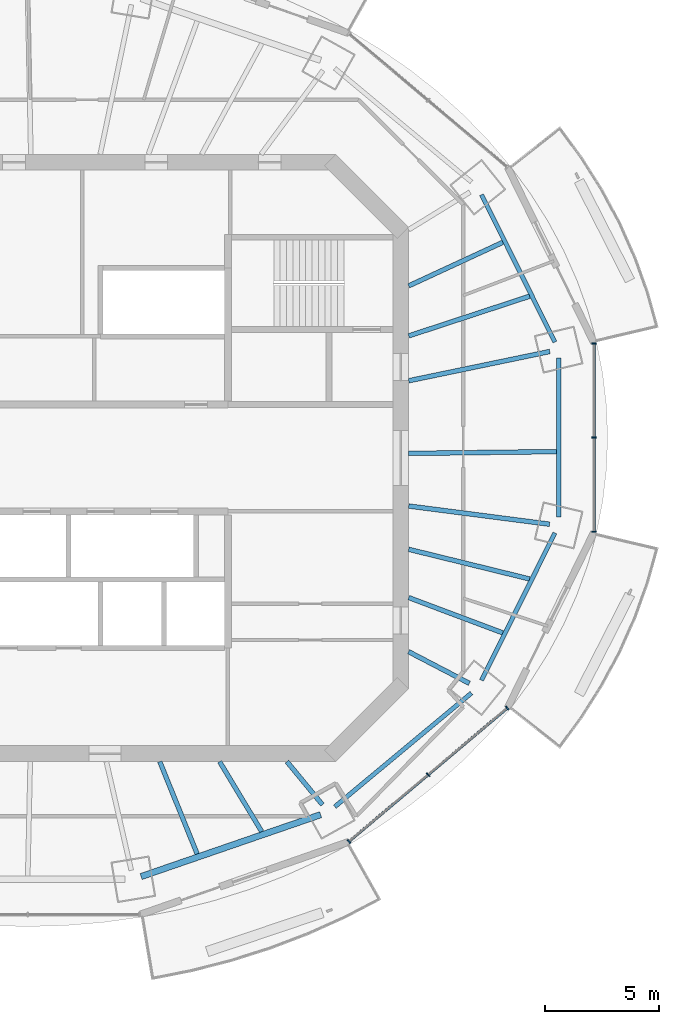
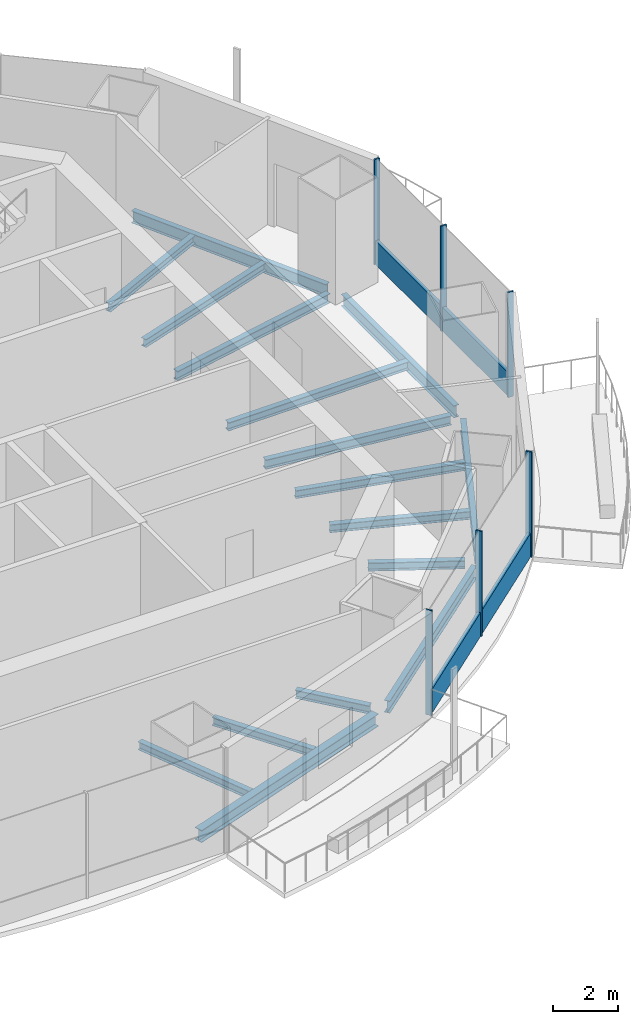
# One storey, part 4 of 15: 16 beams, 8 members, 2 elements without a shape of their own.
"""IFC4 building model written with IfcOpenShell, lengths in metres."""

from ifc_helpers import new_model, si_unit, direction, frame, origin, origin_2d, place, context, subcontext, project, spatial, rectangle, i_section, extrude, material, material_profile, profile_set, type_object, element, aggregate, save


model = new_model("IFC4")

# Units and contexts
model_context = context("Model", 3, precision=1e-05, world=origin(), true_north=direction((0.0, 1.0)))
body_context = subcontext(model_context, "Body", "Model", "MODEL_VIEW")
ifc_project = project(units=[si_unit("LENGTHUNIT", "METRE"), si_unit("AREAUNIT", "SQUARE_METRE"), si_unit("VOLUMEUNIT", "CUBIC_METRE"), si_unit("PLANEANGLEUNIT", "RADIAN"), si_unit("MASSUNIT", "GRAM", prefix="KILO")], contexts=[model_context])

# Site, building, storey
site_placement = place(None, origin())
site = spatial("IfcSite", under=ifc_project, at=site_placement, CompositionType="ELEMENT")
building_placement = place(site_placement, origin())
building = spatial("IfcBuilding", under=site, at=building_placement, Name="Marenthal Gate Tower", CompositionType="ELEMENT")
storey_placement = place(building_placement, frame((0.0, 0.0, 384.10009765625)))
storey = spatial("IfcBuildingStorey", under=building, at=storey_placement, Name="L87", CompositionType="ELEMENT", Elevation=384.10009765625)

# Curtain wall, members
ifc_material_1 = material(Name="Aluminium and glass", Category="aluminium")
curtain_wall_type = type_object("IfcCurtainWallType", Name="Curtain wall typical high", PredefinedType="NOTDEFINED", material=ifc_material_1)
curtain_wall_1_placement = place(storey_placement, origin())
curtain_wall_1 = element("IfcCurtainWall", 1, at=curtain_wall_1_placement, inside=storey, type_object=curtain_wall_type, Name="Curtain wall L87 bay 14", PredefinedType="NOTDEFINED")
ifc_material_2 = material(Name="Aluminium", Category="aluminium")
ifc_material_profile_1 = material_profile(ifc_material_2, rectangle(XDim=0.199951171875, YDim=0.06005859375, at=origin_2d()), Name="60x200 aluminium mullion")
ifc_profile_set_1 = profile_set([ifc_material_profile_1], Name="Aluminium")
member_type_1 = type_object("IfcMemberType", Name="Mullion 60x200 typical high", PredefinedType="MULLION", material=ifc_profile_set_1)
member_1_placement = place(storey_placement, frame((13.723388671875, -16.857421875, 0.0), z_axis=(0.0, 0.0, 1.0), x_axis=(-0.644265226944, 0.764802142616, 0.0)))
member_1 = element("IfcMember", 2, at=member_1_placement, type_object=member_type_1, Name="Mullion L87 bay 14.1", PredefinedType="MULLION", context=body_context, shape_type="SweptSolid", body=[
    extrude(rectangle(XDim=0.199951171875, YDim=0.06005859375, at=origin_2d()), origin(), (0.0, 0.0, 1.0), 3.969970703125),
])
member_2_placement = place(storey_placement, frame((17.20166015625, -13.927490234375, 0.0), z_axis=(0.0, 0.0, 1.0), x_axis=(-0.644265226944, 0.764802142616, 0.0)))
member_2 = element("IfcMember", 3, at=member_2_placement, type_object=member_type_1, Name="Mullion L87 bay 14.2", PredefinedType="MULLION", context=body_context, shape_type="SweptSolid", body=[
    extrude(rectangle(XDim=0.199951171875, YDim=0.06005859375, at=origin_2d()), origin(), (0.0, 0.0, 1.0), 3.969970703125),
])
member_3_placement = place(storey_placement, frame((20.6796875, -10.997314453125, 0.0), z_axis=(0.0, 0.0, 1.0), x_axis=(-0.644265226944, 0.764802142616, 0.0)))
member_3 = element("IfcMember", 4, at=member_3_placement, type_object=member_type_1, Name="Mullion L87 bay 14.3", PredefinedType="MULLION", context=body_context, shape_type="SweptSolid", body=[
    extrude(rectangle(XDim=0.199951171875, YDim=0.06005859375, at=origin_2d()), origin(), (0.0, 0.0, 1.0), 3.969970703125),
])

curtain_wall_2_placement = place(storey_placement, origin())
curtain_wall_2 = element("IfcCurtainWall", 5, at=curtain_wall_2_placement, inside=storey, type_object=curtain_wall_type, Name="Curtain wall L87 bay 16", PredefinedType="NOTDEFINED")
member_4_placement = place(storey_placement, frame((24.4921875, -3.240966796875, 0.0), z_axis=(0.0, 0.0, 1.0), x_axis=(-1.0, 0.0, 0.0)))
member_4 = element("IfcMember", 6, at=member_4_placement, type_object=member_type_1, Name="Mullion L87 bay 16.1", PredefinedType="MULLION", context=body_context, shape_type="SweptSolid", body=[
    extrude(rectangle(XDim=0.199951171875, YDim=0.06005859375, at=origin_2d()), origin(), (0.0, 0.0, 1.0), 3.969970703125),
])
member_5_placement = place(storey_placement, frame((24.4921875, 0.89990234375, 0.0), z_axis=(0.0, 0.0, 1.0), x_axis=(-1.0, 0.0, 0.0)))
member_5 = element("IfcMember", 7, at=member_5_placement, type_object=member_type_1, Name="Mullion L87 bay 16.2", PredefinedType="MULLION", context=body_context, shape_type="SweptSolid", body=[
    extrude(rectangle(XDim=0.199951171875, YDim=0.06005859375, at=origin_2d()), origin(), (0.0, 0.0, 1.0), 3.969970703125),
])
member_6_placement = place(storey_placement, frame((24.4921875, 5.041015625, 0.0), z_axis=(0.0, 0.0, 1.0), x_axis=(-1.0, 0.0, 0.0)))
member_6 = element("IfcMember", 8, at=member_6_placement, type_object=member_type_1, Name="Mullion L87 bay 16.3", PredefinedType="MULLION", context=body_context, shape_type="SweptSolid", body=[
    extrude(rectangle(XDim=0.199951171875, YDim=0.06005859375, at=origin_2d()), origin(), (0.0, 0.0, 1.0), 3.969970703125),
])

# Member
ifc_material_3 = material(Name="Aluminium", Category="aluminium")
ifc_material_profile_2 = material_profile(ifc_material_3, rectangle(XDim=0.1201171875, YDim=0.89990234375, at=origin_2d()), Name="120x900 aluminium transom")
ifc_profile_set_2 = profile_set([ifc_material_profile_2], Name="Aluminium")
member_type_2 = type_object("IfcMemberType", Name="Transom 120x900 typical high", PredefinedType="USERDEFINED", material=ifc_profile_set_2)
member_7_placement = place(storey_placement, frame((13.746337890625, -16.838134765625, 0.449951171875), z_axis=(0.764801880801, 0.644265537743, 0.0), x_axis=(-0.644265537743, 0.764801880801, 0.0)))
member_7 = element("IfcMember", 9, at=member_7_placement, type_object=member_type_2, Name="Transom L87 bay 14", ObjectType="TRANSOM", PredefinedType="USERDEFINED", context=body_context, shape_type="SweptSolid", body=[
    extrude(rectangle(XDim=0.1201171875, YDim=0.89990234375, at=origin_2d()), origin(), (0.0, 0.0, 1.0), 9.03564453125),
])

aggregate(curtain_wall_1, [member_1, member_2, member_3, member_7])

member_8_placement = place(storey_placement, frame((24.4921875, -3.2109375, 0.449951171875), z_axis=(0.0, 1.0, 0.0), x_axis=(-1.0, 0.0, 0.0)))
member_8 = element("IfcMember", 10, at=member_8_placement, type_object=member_type_2, Name="Transom L87 bay 16", ObjectType="TRANSOM", PredefinedType="USERDEFINED", context=body_context, shape_type="SweptSolid", body=[
    extrude(rectangle(XDim=0.1201171875, YDim=0.89990234375, at=origin_2d()), origin(), (0.0, 0.0, 1.0), 8.221923828125),
])

aggregate(curtain_wall_2, [member_4, member_5, member_6, member_8])

# Beams
ifc_material_4 = material(Name="Steel S355", Category="steel")
ifc_material_profile_3 = material_profile(ifc_material_4, i_section(OverallWidth=0.202880859375, OverallDepth=0.302001953125, WebThickness=0.007568359375, FlangeThickness=0.01318359375, FilletRadius=0.0126953125, at=origin_2d()), Name="W310X60")
ifc_profile_set_3 = profile_set([ifc_material_profile_3], Name="Steel S355")
beam_type_1 = type_object("IfcBeamType", Name="W310X60 beam", PredefinedType="BEAM", material=ifc_profile_set_3)
beam_1_placement = place(storey_placement, frame((21.66650390625, 7.11181640625, -0.3310546875), z_axis=(-0.950121914048, -0.311878739971, 0.0), x_axis=(0.311878739971, -0.950121914048, 0.0)))
element("IfcBeam", 11, at=beam_1_placement, inside=storey, type_object=beam_type_1, Name="BM-L87-17", PredefinedType="BEAM", context=body_context, shape_type="SweptSolid", body=[
    extrude(i_section(OverallWidth=0.202880859375, OverallDepth=0.302001953125, WebThickness=0.007568359375, FlangeThickness=0.01318359375, FilletRadius=0.0126953125, at=origin_2d()), origin(), (0.0, 0.0, 1.0), 5.595458984375),
])
beam_2_placement = place(storey_placement, frame((20.48681640625, 9.48095703125, -0.3310546875), z_axis=(-0.907516815218, -0.420015749819, 0.0), x_axis=(0.420015749819, -0.907516815218, 0.0)))
element("IfcBeam", 12, at=beam_2_placement, inside=storey, type_object=beam_type_1, Name="BM-L87-18", PredefinedType="BEAM", context=body_context, shape_type="SweptSolid", body=[
    extrude(i_section(OverallWidth=0.202880859375, OverallDepth=0.302001953125, WebThickness=0.007568359375, FlangeThickness=0.01318359375, FilletRadius=0.0126953125, at=origin_2d()), origin(), (0.0, 0.0, 1.0), 4.558349609375),
])
beam_3_placement = place(storey_placement, frame((7.050537109375, -17.404541015625, -0.3310546875), z_axis=(-0.375486166847, 0.92682799834, 0.0), x_axis=(-0.92682799834, -0.375486166847, 0.0)))
element("IfcBeam", 13, at=beam_3_placement, inside=storey, type_object=beam_type_1, Name="BM-L87-33", PredefinedType="BEAM", context=body_context, shape_type="SweptSolid", body=[
    extrude(i_section(OverallWidth=0.202880859375, OverallDepth=0.302001953125, WebThickness=0.007568359375, FlangeThickness=0.01318359375, FilletRadius=0.0126953125, at=origin_2d()), origin(), (0.0, 0.0, 1.0), 4.37451171875),
])
beam_4_placement = place(storey_placement, frame((9.88916015625, -16.42626953125, -0.3310546875), z_axis=(-0.515795030801, 0.856712020577, 0.0), x_axis=(-0.856712020577, -0.515795030801, 0.0)))
element("IfcBeam", 14, at=beam_4_placement, inside=storey, type_object=beam_type_1, Name="BM-L87-34", PredefinedType="BEAM", context=body_context, shape_type="SweptSolid", body=[
    extrude(i_section(OverallWidth=0.202880859375, OverallDepth=0.302001953125, WebThickness=0.007568359375, FlangeThickness=0.01318359375, FilletRadius=0.0126953125, at=origin_2d()), origin(), (0.0, 0.0, 1.0), 3.590576171875),
])
beam_5_placement = place(storey_placement, frame((20.483642578125, -7.6875, -0.3310546875), z_axis=(-0.936222328992, 0.351408239368, 0.0), x_axis=(-0.351408239368, -0.936222328992, 0.0)))
element("IfcBeam", 15, at=beam_5_placement, inside=storey, type_object=beam_type_1, Name="BM-L87-35", PredefinedType="BEAM", context=body_context, shape_type="SweptSolid", body=[
    extrude(i_section(OverallWidth=0.202880859375, OverallDepth=0.302001953125, WebThickness=0.007568359375, FlangeThickness=0.01318359375, FilletRadius=0.0126953125, at=origin_2d()), origin(), (0.0, 0.0, 1.0), 4.4150390625),
])
beam_6_placement = place(storey_placement, frame((21.6630859375, -5.318603515625, -0.3310546875), z_axis=(-0.971157636969, 0.23843834456, 0.0), x_axis=(-0.23843834456, -0.971157636969, 0.0)))
element("IfcBeam", 16, at=beam_6_placement, inside=storey, type_object=beam_type_1, Name="BM-L87-36", PredefinedType="BEAM", context=body_context, shape_type="SweptSolid", body=[
    extrude(i_section(OverallWidth=0.202880859375, OverallDepth=0.302001953125, WebThickness=0.007568359375, FlangeThickness=0.01318359375, FilletRadius=0.0126953125, at=origin_2d()), origin(), (0.0, 0.0, 1.0), 5.470703125),
])
ifc_material_5 = material(Name="Steel S355", Category="steel")
ifc_material_profile_4 = material_profile(ifc_material_5, i_section(OverallWidth=0.205078125, OverallDepth=0.31005859375, WebThickness=0.009521484375, FlangeThickness=0.016357421875, FilletRadius=0.0126953125, at=origin_2d()), Name="W310X74")
ifc_profile_set_4 = profile_set([ifc_material_profile_4], Name="Steel S355")
beam_type_2 = type_object("IfcBeamType", Name="W310X74 beam", PredefinedType="BEAM", material=ifc_profile_set_4)
beam_7_placement = place(storey_placement, frame((12.55859375, -15.242919921875, -0.335205078125), z_axis=(-0.635836353216, 0.771823899558, 0.0), x_axis=(-0.771823899558, -0.635836353216, 0.0)))
element("IfcBeam", 17, at=beam_7_placement, inside=storey, type_object=beam_type_2, Name="BM-L87-14", PredefinedType="BEAM", context=body_context, shape_type="SweptSolid", body=[
    extrude(i_section(OverallWidth=0.205078125, OverallDepth=0.31005859375, WebThickness=0.009521484375, FlangeThickness=0.016357421875, FilletRadius=0.0126953125, at=origin_2d()), origin(), (0.0, 0.0, 1.0), 2.452392578125),
])
beam_8_placement = place(storey_placement, frame((19.0185546875, -9.9072265625, -0.335205078125), z_axis=(-0.88687114126, 0.462016859866, 0.0), x_axis=(-0.462016859866, -0.88687114126, 0.0)))
element("IfcBeam", 18, at=beam_8_placement, inside=storey, type_object=beam_type_2, Name="BM-L87-15", PredefinedType="BEAM", context=body_context, shape_type="SweptSolid", body=[
    extrude(i_section(OverallWidth=0.205078125, OverallDepth=0.31005859375, WebThickness=0.009521484375, FlangeThickness=0.016357421875, FilletRadius=0.0126953125, at=origin_2d()), origin(), (0.0, 0.0, 1.0), 3.0087890625),
])
beam_9_placement = place(storey_placement, frame((22.84716796875, 0.28076171875, -0.335205078125), z_axis=(-0.999924514888, -0.012286762226, 0.0), x_axis=(0.012286762226, -0.999924514888, 0.0)))
element("IfcBeam", 19, at=beam_9_placement, inside=storey, type_object=beam_type_2, Name="BM-L87-37", PredefinedType="BEAM", context=body_context, shape_type="SweptSolid", body=[
    extrude(i_section(OverallWidth=0.205078125, OverallDepth=0.31005859375, WebThickness=0.009521484375, FlangeThickness=0.016357421875, FilletRadius=0.0126953125, at=origin_2d()), origin(), (0.0, 0.0, 1.0), 6.49755859375),
])
ifc_material_6 = material(Name="Steel S355", Category="steel")
ifc_material_profile_5 = material_profile(ifc_material_6, i_section(OverallWidth=0.205078125, OverallDepth=0.35302734375, WebThickness=0.009521484375, FlangeThickness=0.016845703125, FilletRadius=0.014892578125, at=origin_2d()), Name="W360X79")
ifc_profile_set_5 = profile_set([ifc_material_profile_5], Name="Steel S355")
beam_type_3 = type_object("IfcBeamType", Name="W360X79 beam", PredefinedType="BEAM", material=ifc_profile_set_5)
beam_10_placement = place(storey_placement, frame((22.55078125, 4.681396484375, -0.356689453125), z_axis=(-0.979128337285, -0.203242955908, 0.0), x_axis=(0.203242955908, -0.979128337285, 0.0)))
element("IfcBeam", 20, at=beam_10_placement, inside=storey, type_object=beam_type_3, Name="BM-L87-01", PredefinedType="BEAM", context=body_context, shape_type="SweptSolid", body=[
    extrude(i_section(OverallWidth=0.205078125, OverallDepth=0.35302734375, WebThickness=0.009521484375, FlangeThickness=0.016845703125, FilletRadius=0.014892578125, at=origin_2d()), origin(), (0.0, 0.0, 1.0), 6.332763671875),
])
beam_11_placement = place(storey_placement, frame((22.541015625, -2.910888671875, -0.356689453125), z_axis=(-0.991762968322, 0.128086746638, 0.0), x_axis=(-0.128086746638, -0.991762968322, 0.0)))
element("IfcBeam", 21, at=beam_11_placement, inside=storey, type_object=beam_type_3, Name="BM-L87-16", PredefinedType="BEAM", context=body_context, shape_type="SweptSolid", body=[
    extrude(i_section(OverallWidth=0.205078125, OverallDepth=0.35302734375, WebThickness=0.009521484375, FlangeThickness=0.016845703125, FilletRadius=0.014892578125, at=origin_2d()), origin(), (0.0, 0.0, 1.0), 6.242431640625),
])
ifc_material_7 = material(Name="Steel S355", Category="steel")
ifc_material_profile_6 = material_profile(ifc_material_7, i_section(OverallWidth=0.279052734375, OverallDepth=0.4619140625, WebThickness=0.0107421875, FlangeThickness=0.017333984375, FilletRadius=0.010009765625, at=origin_2d()), Name="W460X113")
ifc_profile_set_6 = profile_set([ifc_material_profile_6], Name="Steel S355")
beam_type_4 = type_object("IfcBeamType", Name="W460X113 beam", PredefinedType="BEAM", material=ifc_profile_set_6)
beam_12_placement = place(storey_placement, frame((4.58544921875, -18.401611328125, -0.4111328125), z_axis=(0.94543573541, 0.325808640478, 0.0), x_axis=(-0.325808640478, 0.94543573541, 0.0)))
element("IfcBeam", 22, at=beam_12_placement, inside=storey, type_object=beam_type_4, Name="BM-L87-50", PredefinedType="BEAM", context=body_context, shape_type="SweptSolid", body=[
    extrude(i_section(OverallWidth=0.279052734375, OverallDepth=0.4619140625, WebThickness=0.0107421875, FlangeThickness=0.017333984375, FilletRadius=0.010009765625, at=origin_2d()), origin(), (0.0, 0.0, 1.0), 8.34912109375),
])
ifc_material_8 = material(Name="Steel S355", Category="steel")
ifc_material_profile_7 = material_profile(ifc_material_8, i_section(OverallWidth=0.19091796875, OverallDepth=0.45703125, WebThickness=0.009033203125, FlangeThickness=0.014404296875, FilletRadius=0.01025390625, at=origin_2d()), Name="W460X74")
ifc_profile_set_7 = profile_set([ifc_material_profile_7], Name="Steel S355")
beam_type_5 = type_object("IfcBeamType", Name="W460X74 beam", PredefinedType="BEAM", material=ifc_profile_set_7)
beam_13_placement = place(storey_placement, frame((22.776611328125, 5.09619140625, -0.40869140625), z_axis=(-0.445686804831, 0.895188958824, 0.0), x_axis=(-0.895188958824, -0.445686804831, 0.0)))
element("IfcBeam", 23, at=beam_13_placement, inside=storey, type_object=beam_type_5, Name="BM-L87-38", PredefinedType="BEAM", context=body_context, shape_type="SweptSolid", body=[
    extrude(i_section(OverallWidth=0.19091796875, OverallDepth=0.45703125, WebThickness=0.009033203125, FlangeThickness=0.014404296875, FilletRadius=0.01025390625, at=origin_2d()), origin(), (0.0, 0.0, 1.0), 7.230712890625),
])
beam_14_placement = place(storey_placement, frame((13.103271484375, -15.32958984375, -0.40869140625), z_axis=(0.768754019675, 0.63954457017, 0.0), x_axis=(-0.63954457017, 0.768754019675, 0.0)))
element("IfcBeam", 24, at=beam_14_placement, inside=storey, type_object=beam_type_5, Name="BM-L87-51", PredefinedType="BEAM", context=body_context, shape_type="SweptSolid", body=[
    extrude(i_section(OverallWidth=0.19091796875, OverallDepth=0.45703125, WebThickness=0.009033203125, FlangeThickness=0.014404296875, FilletRadius=0.01025390625, at=origin_2d()), origin(), (0.0, 0.0, 1.0), 7.809326171875),
])
beam_15_placement = place(storey_placement, frame((19.553955078125, -9.76904296875, -0.40869140625), z_axis=(0.445686804831, 0.895188958824, 0.0), x_axis=(-0.895188958824, 0.445686804831, 0.0)))
element("IfcBeam", 25, at=beam_15_placement, inside=storey, type_object=beam_type_5, Name="BM-L87-52", PredefinedType="BEAM", context=body_context, shape_type="SweptSolid", body=[
    extrude(i_section(OverallWidth=0.19091796875, OverallDepth=0.45703125, WebThickness=0.009033203125, FlangeThickness=0.014404296875, FilletRadius=0.01025390625, at=origin_2d()), origin(), (0.0, 0.0, 1.0), 7.230712890625),
])
beam_16_placement = place(storey_placement, frame((22.942626953125, -2.5888671875, -0.40869140625), z_axis=(0.0, 1.0, 0.0), x_axis=(-1.0, 0.0, 0.0)))
element("IfcBeam", 26, at=beam_16_placement, inside=storey, type_object=beam_type_5, Name="BM-L87-53", PredefinedType="BEAM", context=body_context, shape_type="SweptSolid", body=[
    extrude(i_section(OverallWidth=0.19091796875, OverallDepth=0.45703125, WebThickness=0.009033203125, FlangeThickness=0.014404296875, FilletRadius=0.01025390625, at=origin_2d()), origin(), (0.0, 0.0, 1.0), 6.977783203125),
])

save(model, "model.ifc")
